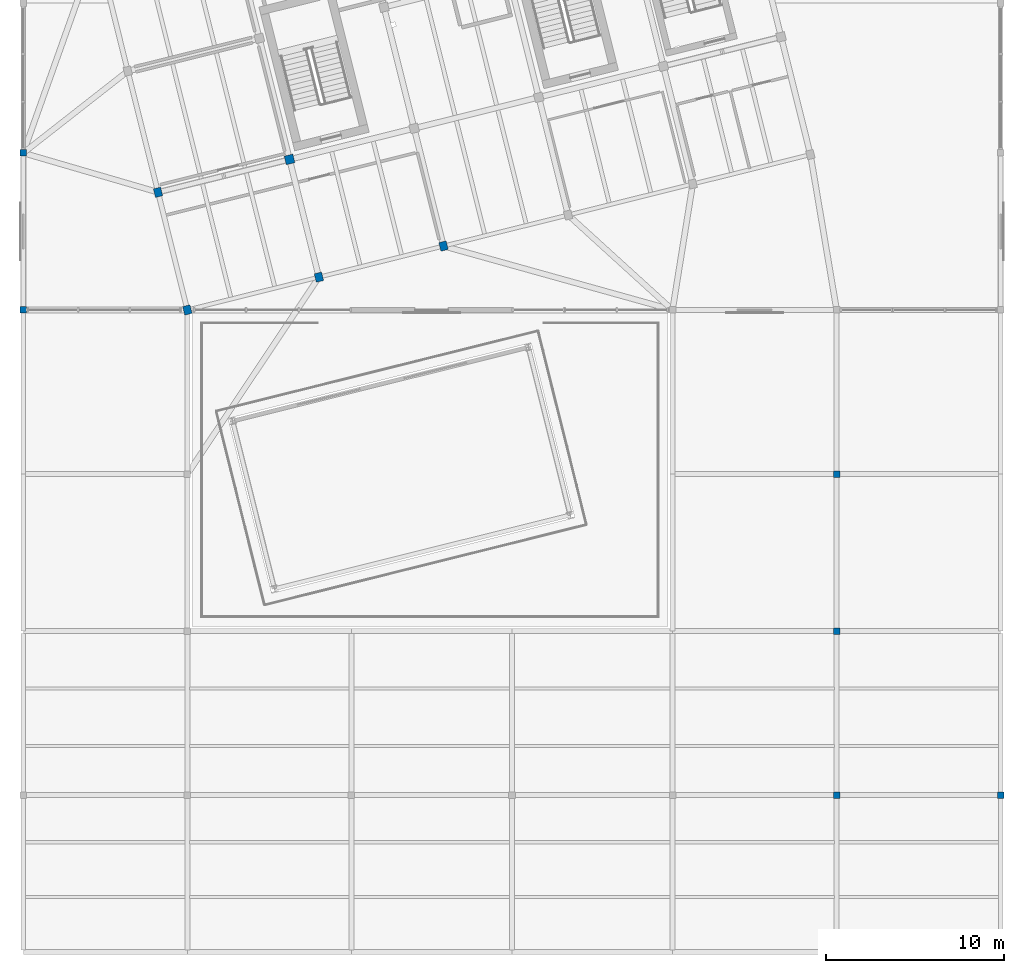
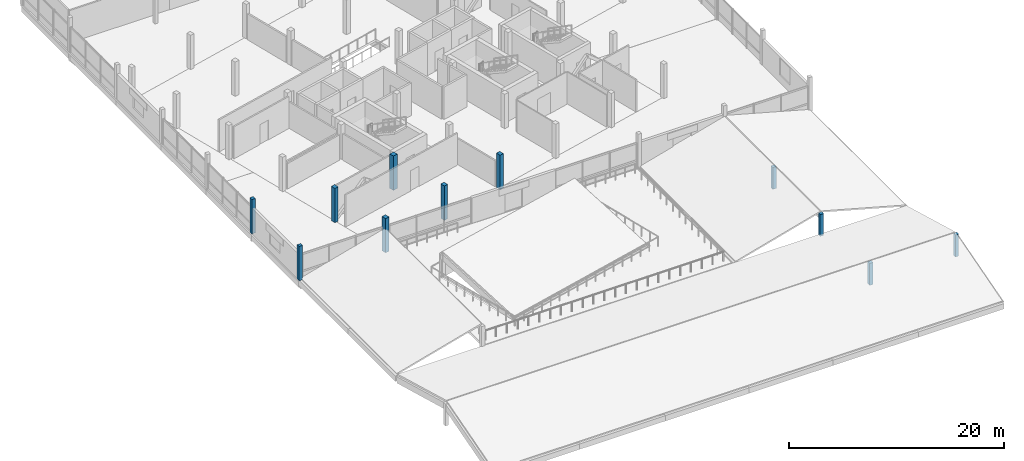
# One storey, part 2 of 39: 11 columns.
"""IFC4 building model written with IfcOpenShell, lengths in metres."""

import ifcopenshell
import ifcopenshell.guid

model = None  # the IFC model being written
_history = None  # IfcOwnerHistory: only IFC2X3 demands one
_inside = {}  # id of a spatial element -> (the spatial element, [elements in it])
_under = {}  # id of a project, library or spatial element -> (it, [spatial elements below it])
_declared = {}  # id of a project -> (the project, [libraries it declares])
_typed = {}  # id of a type object -> (the type object, [elements of that type])
_made_of = {}  # id of a material, layer set ... -> (it, [elements and type objects made of it])


def new_model(schema):
    """Start an empty IFC model of exactly this schema.

    Asked for "IFC4X3", IfcOpenShell would pick the latest addendum, in which some entities
    have other attributes; the version numbers below select the first issue.
    IFC2X3 requires an IfcOwnerHistory on every rooted entity: one is made here for all.
    """
    global model, _history
    if schema == "IFC4X3":
        model = ifcopenshell.file(schema_version=(4, 3, 0, 0))
    else:
        model = ifcopenshell.file(schema=schema)
    _inside.clear()
    _under.clear()
    _declared.clear()
    _typed.clear()
    _made_of.clear()
    _history = None
    if model.schema == "IFC2X3":
        org = make("IfcOrganization", Name="unknown")
        user = make(
            "IfcPersonAndOrganization",
            ThePerson=make("IfcPerson", FamilyName="unknown"),
            TheOrganization=org,
        )
        app = make(
            "IfcApplication",
            ApplicationDeveloper=org,
            Version="unknown",
            ApplicationFullName="unknown",
            ApplicationIdentifier="unknown",
        )
        _history = make(
            "IfcOwnerHistory",
            OwningUser=user,
            OwningApplication=app,
            ChangeAction="ADDED",
            CreationDate=0,
        )
    return model


def make(cls, **values):
    """One entity of the class cls with the attributes given. An attribute that is None is left unset."""
    return model.create_entity(
        cls, **{name: value for name, value in values.items() if value is not None}
    )


def rooted(cls, **values):
    """An entity with a GlobalId (a new one), such as an element, a storey or a relation."""
    return make(cls, GlobalId=ifcopenshell.guid.new(), OwnerHistory=_history, **values)


def si_unit(unit_type, name, prefix=None):
    """IfcSIUnit, for example si_unit("LENGTHUNIT", "METRE", prefix="MILLI")."""
    return make("IfcSIUnit", UnitType=unit_type, Prefix=prefix, Name=name)


def assignment(units):
    """IfcUnitAssignment: the units of a project."""
    return None if units is None else make("IfcUnitAssignment", Units=units)


def point(xyz):
    """IfcCartesianPoint."""
    return None if xyz is None else make("IfcCartesianPoint", Coordinates=xyz)


def direction(xyz):
    """IfcDirection."""
    return None if xyz is None else make("IfcDirection", DirectionRatios=xyz)


def frame(location, z_axis=None, x_axis=None):
    """IfcAxis2Placement3D, a coordinate frame: its origin and axes. An axis left out is left unset."""
    return make(
        "IfcAxis2Placement3D",
        Location=point(location),
        Axis=direction(z_axis),
        RefDirection=direction(x_axis),
    )


def frame_2d(location, x_axis=None):
    """IfcAxis2Placement2D, a coordinate frame in the plane: its origin and x axis."""
    return make(
        "IfcAxis2Placement2D", Location=point(location), RefDirection=direction(x_axis)
    )


def origin():
    """The frame at (0, 0, 0) with its axes left unset."""
    return frame((0.0, 0.0, 0.0))


def origin_2d():
    """The frame at (0, 0) in the plane with its x axis left unset."""
    return frame_2d((0.0, 0.0))


def place(relative_to, where):
    """IfcLocalPlacement: puts the frame where relative to a parent placement (None: the world)."""
    return make(
        "IfcLocalPlacement", PlacementRelTo=relative_to, RelativePlacement=where
    )


def context(
    kind, dimensions, precision=None, world=None, true_north=None, identifier=None
):
    """IfcGeometricRepresentationContext, for example the 3D "Model" context."""
    return make(
        "IfcGeometricRepresentationContext",
        ContextIdentifier=identifier,
        ContextType=kind,
        CoordinateSpaceDimension=dimensions,
        Precision=precision,
        WorldCoordinateSystem=world,
        TrueNorth=true_north,
    )


def subcontext(parent, identifier, kind, view, scale=None):
    """IfcGeometricRepresentationSubContext, for example "Body" below "Model"."""
    return make(
        "IfcGeometricRepresentationSubContext",
        ContextIdentifier=identifier,
        ContextType=kind,
        ParentContext=parent,
        TargetScale=scale,
        TargetView=view,
    )


def project(units=None, contexts=None):
    """IfcProject with its units and contexts."""
    return rooted(
        "IfcProject",
        Name="project",
        RepresentationContexts=contexts,
        UnitsInContext=assignment(units),
    )


def spatial(cls, under=None, at=None, **own):
    """A site, building, storey or space (cls), placed at a placement, below another one or the project."""
    s = rooted(cls, ObjectPlacement=at, **own)
    if under is not None:
        _under.setdefault(under.id(), (under, []))[1].append(s)
    return s


def profile(cls, at=None, kind="AREA", **sizes):
    """A parametric profile (cls). Its sizes go by their IFC names, for example OverallWidth=200.0."""
    return make(cls, ProfileType=kind, Position=at, **sizes)


def rectangle(**sizes):
    """IfcRectangleProfileDef."""
    return profile("IfcRectangleProfileDef", **sizes)


def extrude(swept, where, along, depth):
    """IfcExtrudedAreaSolid: the profile swept, set in the frame where, extruded along a direction by depth."""
    return make(
        "IfcExtrudedAreaSolid",
        SweptArea=swept,
        Position=where,
        ExtrudedDirection=direction(along),
        Depth=depth,
    )


def shape(context_of_items, identifier, shape_type, items):
    """IfcShapeRepresentation: the items that make up one representation, for example the "Body"."""
    return make(
        "IfcShapeRepresentation",
        ContextOfItems=context_of_items,
        RepresentationIdentifier=identifier,
        RepresentationType=shape_type,
        Items=items,
    )


def material(Name=None, Category=None):
    """IfcMaterial."""
    return make("IfcMaterial", Name=Name, Category=Category)


def material_profile(
    of_material, cross_section, Name=None, Category=None, Priority=None
):
    """IfcMaterialProfile: a cross section and its material."""
    return make(
        "IfcMaterialProfile",
        Name=Name,
        Material=of_material,
        Profile=cross_section,
        Priority=Priority,
        Category=Category,
    )


def profile_set(profiles, Name=None, composite=None):
    """IfcMaterialProfileSet."""
    return make(
        "IfcMaterialProfileSet",
        Name=Name,
        MaterialProfiles=profiles,
        CompositeProfile=composite,
    )


def made_of(thing, what):
    """Note that an element or type object is made of a material, layer set ...; save() writes the relation."""
    if what is not None:
        _made_of.setdefault(what.id(), (what, []))[1].append(thing)
    return thing


def type_object(cls, material=None, **own):
    """A type object (cls), such as IfcWallType, which elements share."""
    return made_of(rooted(cls, **own), material)


def element(
    cls,
    number,
    at=None,
    inside=None,
    cuts=None,
    type_object=None,
    material=None,
    context=None,
    identifier="Body",
    shape_type=None,
    held_by="IfcProductDefinitionShape",
    body=None,
    shapes=None,
    **own,
):
    """One element of the class cls, such as IfcWall. Its Tag is "e" and its number.

    at: its placement. inside: the storey or other place that contains it. cuts: it is an
    opening in that element (IfcRelVoidsElement). A single representation is given by context,
    identifier, shape_type and body (its items); several are given by shapes. held_by: the class
    of the entity that holds the representations. save() writes the other relations.
    """
    e = rooted(cls, Tag="e%d" % number, ObjectPlacement=at, **own)
    if body is not None:
        shapes = [shape(context, identifier, shape_type, body)]
    if shapes is not None:
        e.Representation = make(held_by, Representations=shapes)
    if inside is not None:
        _inside.setdefault(inside.id(), (inside, []))[1].append(e)
    if cuts is not None:
        rooted(
            "IfcRelVoidsElement", RelatingBuildingElement=cuts, RelatedOpeningElement=e
        )
    if type_object is not None:
        _typed.setdefault(type_object.id(), (type_object, []))[1].append(e)
    return made_of(e, material)


def aggregate(whole, parts):
    """IfcRelAggregates: a whole, such as a stair, and the parts it consists of."""
    return rooted("IfcRelAggregates", RelatingObject=whole, RelatedObjects=parts)


def save(model, path):
    """Write the relations noted so far, then the file.

    IfcRelAggregates (storeys below a building ...), IfcRelContainedInSpatialStructure (elements
    in a storey), IfcRelDefinesByType, IfcRelAssociatesMaterial and IfcRelDeclares: one each for
    every whole, place, type object, material and project.
    """
    for whole, parts in _under.values():
        aggregate(whole, parts)
    for where, things in _inside.values():
        rooted(
            "IfcRelContainedInSpatialStructure",
            RelatedElements=things,
            RelatingStructure=where,
        )
    for kind, things in _typed.values():
        rooted("IfcRelDefinesByType", RelatedObjects=things, RelatingType=kind)
    for what, things in _made_of.values():
        rooted("IfcRelAssociatesMaterial", RelatedObjects=things, RelatingMaterial=what)
    for by, libraries in _declared.values():
        rooted("IfcRelDeclares", RelatingContext=by, RelatedDefinitions=libraries)
    model.write(path)


model = new_model("IFC4")

# Units and contexts
model_context = context("Model", 3, precision=1e-05, world=origin(), true_north=direction((0.0, 1.0)))
body_context = subcontext(model_context, "Body", "Model", "MODEL_VIEW")
ifc_project = project(units=[si_unit("LENGTHUNIT", "METRE"), si_unit("AREAUNIT", "SQUARE_METRE"), si_unit("VOLUMEUNIT", "CUBIC_METRE"), si_unit("PLANEANGLEUNIT", "RADIAN"), si_unit("MASSUNIT", "GRAM", prefix="KILO")], contexts=[model_context])

# Site, building, storey
site_placement = place(None, origin())
site = spatial("IfcSite", under=ifc_project, at=site_placement, CompositionType="ELEMENT")
building_placement = place(site_placement, origin())
building = spatial("IfcBuilding", under=site, at=building_placement, Name="Meriwether Solvik Hall", CompositionType="ELEMENT")
storey_placement = place(building_placement, frame((0.0, 0.0, 22.199951171875)))
storey = spatial("IfcBuildingStorey", under=building, at=storey_placement, Name="L05", CompositionType="ELEMENT", Elevation=22.199951171875)

# Columns
ifc_material_1 = material(Name="Glulam Douglas-Fir L2 GL28c", Category="wood")
ifc_material_profile_1 = material_profile(ifc_material_1, rectangle(XDim=0.364990234375, YDim=0.364990234375, at=origin_2d()), Name="GLC-365X365")
ifc_profile_set_1 = profile_set([ifc_material_profile_1], Name="Glulam Douglas-Fir L2 GL28c")
column_type_1 = type_object("IfcColumnType", Name="COL-GL-365X365", PredefinedType="COLUMN", material=ifc_profile_set_1)
for number, where, z_axis, x_axis, name in (
    (1, (59.39990234375, 41.199951171875, 0.0), (0.0, 0.0, 1.0), (1.0, 0.0, 0.0), "Podium Column 7/E (L05)"),
    (2, (59.39990234375, 50.0, 0.0), (0.0, 0.0, 1.0), (1.0, 0.0, 0.0), "Podium Column 7/F (L05)"),
):
    element("IfcColumn", number, at=place(storey_placement, frame(where, z_axis=z_axis, x_axis=x_axis)), inside=storey, type_object=column_type_1, Name=name, PredefinedType="COLUMN", context=body_context, shape_type="SweptSolid", body=[
        extrude(rectangle(XDim=0.364990234375, YDim=0.364990234375, at=origin_2d()), origin(), (0.0, 0.0, 1.0), 3.900146484375),
    ])
column_1_placement = place(storey_placement, frame((105.0, 14.0, 0.0), z_axis=(0.0, 0.0, 1.0), x_axis=(1.0, 0.0, 0.0)))
element("IfcColumn", 3, at=column_1_placement, inside=storey, type_object=column_type_1, Name="Roof Ridge Post 12/B (L05)", PredefinedType="COLUMN", context=body_context, shape_type="SweptSolid", body=[
    extrude(rectangle(XDim=0.364990234375, YDim=0.364990234375, at=origin_2d()), origin(), (0.0, 0.0, 1.0), 2.501220703125),
])
for number, where, z_axis, x_axis, name in (
    (4, (105.0, 23.199951171875, 0.0), (0.0, 0.0, 1.0), (1.0, 0.0, 0.0), "Roof Ridge Post 12/C (L05)"),
    (5, (105.0, 32.0, 0.0), (0.0, 0.0, 1.0), (1.0, 0.0, 0.0), "Roof Ridge Post 12/D (L05)"),
):
    element("IfcColumn", number, at=place(storey_placement, frame(where, z_axis=z_axis, x_axis=x_axis)), inside=storey, type_object=column_type_1, Name=name, PredefinedType="COLUMN", context=body_context, shape_type="SweptSolid", body=[
        extrude(rectangle(XDim=0.364990234375, YDim=0.364990234375, at=origin_2d()), origin(), (0.0, 0.0, 1.0), 2.481201171875),
    ])
column_2_placement = place(storey_placement, frame((114.199951171875, 14.0, 0.0), z_axis=(0.0, 0.0, 1.0), x_axis=(1.0, 0.0, 0.0)))
element("IfcColumn", 6, at=column_2_placement, inside=storey, type_object=column_type_1, Name="Roof Ridge Post 13/B (L05)", PredefinedType="COLUMN", context=body_context, shape_type="SweptSolid", body=[
    extrude(rectangle(XDim=0.364990234375, YDim=0.364990234375, at=origin_2d()), origin(), (0.0, 0.0, 1.0), 2.501220703125),
])
ifc_material_2 = material(Name="Glulam Douglas-Fir L2 GL28c", Category="wood")
ifc_material_profile_2 = material_profile(ifc_material_2, rectangle(XDim=0.419921875, YDim=0.4951171875, at=origin_2d()), Name="GLC-420X495")
ifc_profile_set_2 = profile_set([ifc_material_profile_2], Name="Glulam Douglas-Fir L2 GL28c")
column_type_2 = type_object("IfcColumnType", Name="COL-GL-420X495", PredefinedType="COLUMN", material=ifc_profile_set_2)
for number, where, z_axis, x_axis, name in (
    (7, (68.60009765625, 41.199951171875, 0.0), (0.0, 0.0, 1.0), (0.970295726276, 0.2419218956, 0.0), "Tower Column T1/TA (L05)"),
    (8, (66.954833984375, 47.798095703125, 0.0), (0.0, 0.0, 1.0), (0.970295726276, 0.2419218956, 0.0), "Tower Column T1/TB (L05)"),
    (9, (75.974365234375, 43.03857421875, 0.0), (0.0, 0.0, 1.0), (0.970295726276, 0.2419218956, 0.0), "Tower Column T2/TA (L05)"),
    (10, (82.96044921875, 44.780517578125, 0.0), (0.0, 0.0, 1.0), (0.970295726276, 0.2419218956, 0.0), "Tower Column T3/TA (L05)"),
):
    element("IfcColumn", number, at=place(storey_placement, frame(where, z_axis=z_axis, x_axis=x_axis)), inside=storey, type_object=column_type_2, Name=name, PredefinedType="COLUMN", context=body_context, shape_type="SweptSolid", body=[
        extrude(rectangle(XDim=0.419921875, YDim=0.4951171875, at=origin_2d()), origin(), (0.0, 0.0, 1.0), 3.900146484375),
    ])
ifc_material_3 = material(Name="Glulam Douglas-Fir L2 GL28c", Category="wood")
ifc_material_profile_3 = material_profile(ifc_material_3, rectangle(XDim=0.4951171875, YDim=0.4951171875, at=origin_2d()), Name="GLC-495X495")
ifc_profile_set_3 = profile_set([ifc_material_profile_3], Name="Glulam Douglas-Fir L2 GL28c")
column_type_3 = type_object("IfcColumnType", Name="COL-GL-495X495", PredefinedType="COLUMN", material=ifc_profile_set_3)
column_3_placement = place(storey_placement, frame((74.3291015625, 49.63671875, 0.0), z_axis=(0.0, 0.0, 1.0), x_axis=(0.970295726276, 0.2419218956, 0.0)))
element("IfcColumn", 11, at=column_3_placement, inside=storey, type_object=column_type_3, Name="Tower Column T2/TB (L05)", PredefinedType="COLUMN", context=body_context, shape_type="SweptSolid", body=[
    extrude(rectangle(XDim=0.4951171875, YDim=0.4951171875, at=origin_2d()), origin(), (0.0, 0.0, 1.0), 3.900146484375),
])

save(model, "model.ifc")
